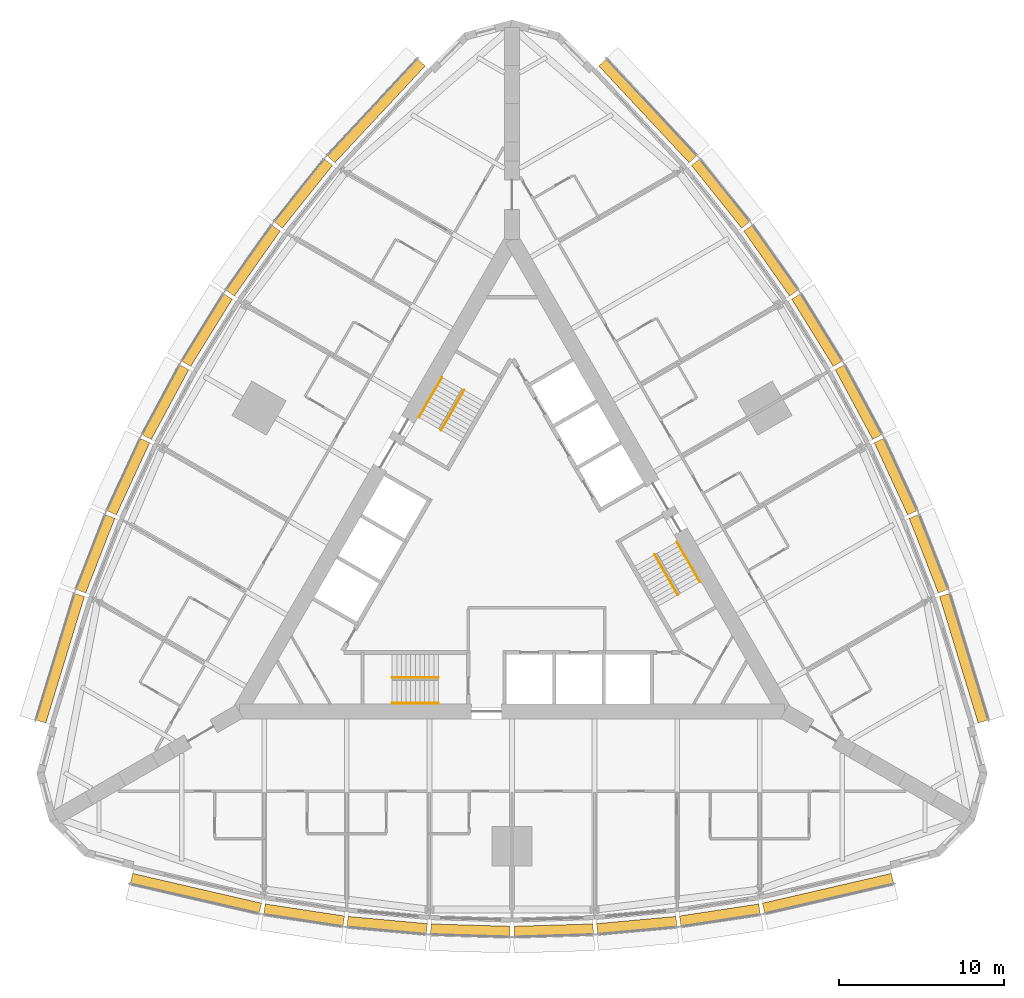
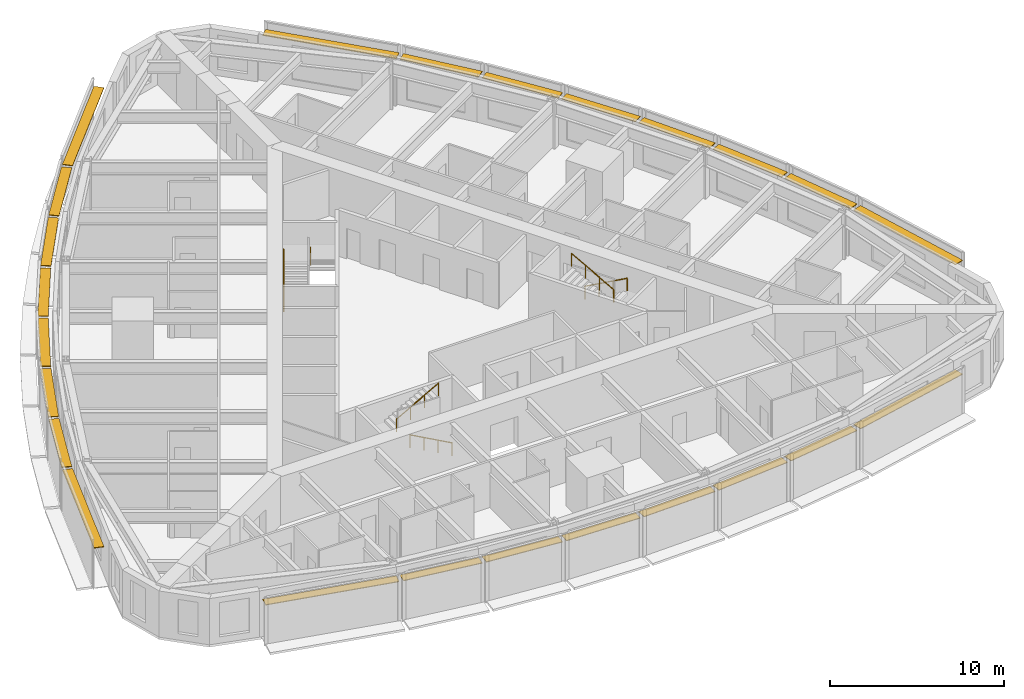
# One storey, part 14 of 14: 24 shading devices, 6 railings.
"""IFC4 building model written with IfcOpenShell, lengths in metres."""

import ifcopenshell
import ifcopenshell.guid

model = None  # the IFC model being written
_history = None  # IfcOwnerHistory: only IFC2X3 demands one
_inside = {}  # id of a spatial element -> (the spatial element, [elements in it])
_under = {}  # id of a project, library or spatial element -> (it, [spatial elements below it])
_declared = {}  # id of a project -> (the project, [libraries it declares])
_typed = {}  # id of a type object -> (the type object, [elements of that type])
_made_of = {}  # id of a material, layer set ... -> (it, [elements and type objects made of it])


def new_model(schema):
    """Start an empty IFC model of exactly this schema.

    Asked for "IFC4X3", IfcOpenShell would pick the latest addendum, in which some entities
    have other attributes; the version numbers below select the first issue.
    IFC2X3 requires an IfcOwnerHistory on every rooted entity: one is made here for all.
    """
    global model, _history
    if schema == "IFC4X3":
        model = ifcopenshell.file(schema_version=(4, 3, 0, 0))
    else:
        model = ifcopenshell.file(schema=schema)
    _inside.clear()
    _under.clear()
    _declared.clear()
    _typed.clear()
    _made_of.clear()
    _history = None
    if model.schema == "IFC2X3":
        org = make("IfcOrganization", Name="unknown")
        user = make(
            "IfcPersonAndOrganization",
            ThePerson=make("IfcPerson", FamilyName="unknown"),
            TheOrganization=org,
        )
        app = make(
            "IfcApplication",
            ApplicationDeveloper=org,
            Version="unknown",
            ApplicationFullName="unknown",
            ApplicationIdentifier="unknown",
        )
        _history = make(
            "IfcOwnerHistory",
            OwningUser=user,
            OwningApplication=app,
            ChangeAction="ADDED",
            CreationDate=0,
        )
    return model


def make(cls, **values):
    """One entity of the class cls with the attributes given. An attribute that is None is left unset."""
    return model.create_entity(
        cls, **{name: value for name, value in values.items() if value is not None}
    )


def rooted(cls, **values):
    """An entity with a GlobalId (a new one), such as an element, a storey or a relation."""
    return make(cls, GlobalId=ifcopenshell.guid.new(), OwnerHistory=_history, **values)


def si_unit(unit_type, name, prefix=None):
    """IfcSIUnit, for example si_unit("LENGTHUNIT", "METRE", prefix="MILLI")."""
    return make("IfcSIUnit", UnitType=unit_type, Prefix=prefix, Name=name)


def assignment(units):
    """IfcUnitAssignment: the units of a project."""
    return None if units is None else make("IfcUnitAssignment", Units=units)


def point(xyz):
    """IfcCartesianPoint."""
    return None if xyz is None else make("IfcCartesianPoint", Coordinates=xyz)


def direction(xyz):
    """IfcDirection."""
    return None if xyz is None else make("IfcDirection", DirectionRatios=xyz)


def frame(location, z_axis=None, x_axis=None):
    """IfcAxis2Placement3D, a coordinate frame: its origin and axes. An axis left out is left unset."""
    return make(
        "IfcAxis2Placement3D",
        Location=point(location),
        Axis=direction(z_axis),
        RefDirection=direction(x_axis),
    )


def frame_2d(location, x_axis=None):
    """IfcAxis2Placement2D, a coordinate frame in the plane: its origin and x axis."""
    return make(
        "IfcAxis2Placement2D", Location=point(location), RefDirection=direction(x_axis)
    )


def origin():
    """The frame at (0, 0, 0) with its axes left unset."""
    return frame((0.0, 0.0, 0.0))


def origin_2d():
    """The frame at (0, 0) in the plane with its x axis left unset."""
    return frame_2d((0.0, 0.0))


def place(relative_to, where):
    """IfcLocalPlacement: puts the frame where relative to a parent placement (None: the world)."""
    return make(
        "IfcLocalPlacement", PlacementRelTo=relative_to, RelativePlacement=where
    )


def context(
    kind, dimensions, precision=None, world=None, true_north=None, identifier=None
):
    """IfcGeometricRepresentationContext, for example the 3D "Model" context."""
    return make(
        "IfcGeometricRepresentationContext",
        ContextIdentifier=identifier,
        ContextType=kind,
        CoordinateSpaceDimension=dimensions,
        Precision=precision,
        WorldCoordinateSystem=world,
        TrueNorth=true_north,
    )


def subcontext(parent, identifier, kind, view, scale=None):
    """IfcGeometricRepresentationSubContext, for example "Body" below "Model"."""
    return make(
        "IfcGeometricRepresentationSubContext",
        ContextIdentifier=identifier,
        ContextType=kind,
        ParentContext=parent,
        TargetScale=scale,
        TargetView=view,
    )


def project(units=None, contexts=None):
    """IfcProject with its units and contexts."""
    return rooted(
        "IfcProject",
        Name="project",
        RepresentationContexts=contexts,
        UnitsInContext=assignment(units),
    )


def spatial(cls, under=None, at=None, **own):
    """A site, building, storey or space (cls), placed at a placement, below another one or the project."""
    s = rooted(cls, ObjectPlacement=at, **own)
    if under is not None:
        _under.setdefault(under.id(), (under, []))[1].append(s)
    return s


def profile(cls, at=None, kind="AREA", **sizes):
    """A parametric profile (cls). Its sizes go by their IFC names, for example OverallWidth=200.0."""
    return make(cls, ProfileType=kind, Position=at, **sizes)


def rectangle(**sizes):
    """IfcRectangleProfileDef."""
    return profile("IfcRectangleProfileDef", **sizes)


def circle(**sizes):
    """IfcCircleProfileDef."""
    return profile("IfcCircleProfileDef", **sizes)


def extrude(swept, where, along, depth):
    """IfcExtrudedAreaSolid: the profile swept, set in the frame where, extruded along a direction by depth."""
    return make(
        "IfcExtrudedAreaSolid",
        SweptArea=swept,
        Position=where,
        ExtrudedDirection=direction(along),
        Depth=depth,
    )


def shape(context_of_items, identifier, shape_type, items):
    """IfcShapeRepresentation: the items that make up one representation, for example the "Body"."""
    return make(
        "IfcShapeRepresentation",
        ContextOfItems=context_of_items,
        RepresentationIdentifier=identifier,
        RepresentationType=shape_type,
        Items=items,
    )


def material(Name=None, Category=None):
    """IfcMaterial."""
    return make("IfcMaterial", Name=Name, Category=Category)


def made_of(thing, what):
    """Note that an element or type object is made of a material, layer set ...; save() writes the relation."""
    if what is not None:
        _made_of.setdefault(what.id(), (what, []))[1].append(thing)
    return thing


def type_object(cls, material=None, **own):
    """A type object (cls), such as IfcWallType, which elements share."""
    return made_of(rooted(cls, **own), material)


def element(
    cls,
    number,
    at=None,
    inside=None,
    cuts=None,
    type_object=None,
    material=None,
    context=None,
    identifier="Body",
    shape_type=None,
    held_by="IfcProductDefinitionShape",
    body=None,
    shapes=None,
    **own,
):
    """One element of the class cls, such as IfcWall. Its Tag is "e" and its number.

    at: its placement. inside: the storey or other place that contains it. cuts: it is an
    opening in that element (IfcRelVoidsElement). A single representation is given by context,
    identifier, shape_type and body (its items); several are given by shapes. held_by: the class
    of the entity that holds the representations. save() writes the other relations.
    """
    e = rooted(cls, Tag="e%d" % number, ObjectPlacement=at, **own)
    if body is not None:
        shapes = [shape(context, identifier, shape_type, body)]
    if shapes is not None:
        e.Representation = make(held_by, Representations=shapes)
    if inside is not None:
        _inside.setdefault(inside.id(), (inside, []))[1].append(e)
    if cuts is not None:
        rooted(
            "IfcRelVoidsElement", RelatingBuildingElement=cuts, RelatedOpeningElement=e
        )
    if type_object is not None:
        _typed.setdefault(type_object.id(), (type_object, []))[1].append(e)
    return made_of(e, material)


def aggregate(whole, parts):
    """IfcRelAggregates: a whole, such as a stair, and the parts it consists of."""
    return rooted("IfcRelAggregates", RelatingObject=whole, RelatedObjects=parts)


def save(model, path):
    """Write the relations noted so far, then the file.

    IfcRelAggregates (storeys below a building ...), IfcRelContainedInSpatialStructure (elements
    in a storey), IfcRelDefinesByType, IfcRelAssociatesMaterial and IfcRelDeclares: one each for
    every whole, place, type object, material and project.
    """
    for whole, parts in _under.values():
        aggregate(whole, parts)
    for where, things in _inside.values():
        rooted(
            "IfcRelContainedInSpatialStructure",
            RelatedElements=things,
            RelatingStructure=where,
        )
    for kind, things in _typed.values():
        rooted("IfcRelDefinesByType", RelatedObjects=things, RelatingType=kind)
    for what, things in _made_of.values():
        rooted("IfcRelAssociatesMaterial", RelatedObjects=things, RelatingMaterial=what)
    for by, libraries in _declared.values():
        rooted("IfcRelDeclares", RelatingContext=by, RelatedDefinitions=libraries)
    model.write(path)


model = new_model("IFC4")

# Units and contexts
model_context = context("Model", 3, precision=1e-05, world=origin(), true_north=direction((0.0, 1.0)))
body_context = subcontext(model_context, "Body", "Model", "MODEL_VIEW")
ifc_project = project(units=[si_unit("LENGTHUNIT", "METRE"), si_unit("AREAUNIT", "SQUARE_METRE"), si_unit("VOLUMEUNIT", "CUBIC_METRE"), si_unit("PLANEANGLEUNIT", "RADIAN"), si_unit("MASSUNIT", "GRAM", prefix="KILO")], contexts=[model_context])

# Site, building, storey
site_placement = place(None, origin())
site = spatial("IfcSite", under=ifc_project, at=site_placement, CompositionType="ELEMENT")
building_placement = place(site_placement, origin())
building = spatial("IfcBuilding", under=site, at=building_placement, Name="Trikona Tower", CompositionType="ELEMENT")
storey_placement = place(building_placement, frame((0.0, 0.0, 62.5)))
storey = spatial("IfcBuildingStorey", under=building, at=storey_placement, Name="L15", CompositionType="ELEMENT", Elevation=62.5)

# Shading devices
ifc_material_1 = material(Name="Aluminium louvre blade, pale anodised", Category="aluminium")
shading_device_type = type_object("IfcShadingDeviceType", Name="Cavity louvre 600", PredefinedType="USERDEFINED", material=ifc_material_1)
shading_device_1_placement = place(storey_placement, frame((-19.126220703125, -20.5234375, 2.77490234375), z_axis=(0.0, 0.0, 1.0), x_axis=(0.974277718622, -0.225350675607, 0.0)))
element("IfcShadingDevice", 1, at=shading_device_1_placement, inside=storey, type_object=shading_device_type, Name="Cavity louvre L15-00", ObjectType="LOUVRE", PredefinedType="USERDEFINED", context=body_context, shape_type="SweptSolid", body=[
    extrude(rectangle(XDim=8.01123046875, YDim=0.60009765625, at=origin_2d()), origin(), (0.0, 0.0, 1.0), 0.050048828125),
])
shading_device_2_placement = place(storey_placement, frame((-12.584228515625, -21.837158203125, 2.77490234375), z_axis=(0.0, 0.0, 1.0), x_axis=(0.988617896768, -0.150448177754, 0.0)))
element("IfcShadingDevice", 2, at=shading_device_2_placement, inside=storey, type_object=shading_device_type, Name="Cavity louvre L15-01", ObjectType="LOUVRE", PredefinedType="USERDEFINED", context=body_context, shape_type="SweptSolid", body=[
    extrude(rectangle(XDim=4.857666015625, YDim=0.60009765625, at=origin_2d()), origin(), (0.0, 0.0, 1.0), 0.050048828125),
])
shading_device_3_placement = place(storey_placement, frame((-7.55078125, -22.44970703125, 2.77490234375), z_axis=(0.0, 0.0, 1.0), x_axis=(0.995858098326, -0.090921108655, 0.0)))
element("IfcShadingDevice", 3, at=shading_device_3_placement, inside=storey, type_object=shading_device_type, Name="Cavity louvre L15-02", ObjectType="LOUVRE", PredefinedType="USERDEFINED", context=body_context, shape_type="SweptSolid", body=[
    extrude(rectangle(XDim=4.82080078125, YDim=0.60009765625, at=origin_2d()), origin(), (0.0, 0.0, 1.0), 0.050048828125),
])
for number, where, z_axis, x_axis, name in (
    (4, (-2.51708984375, -22.756103515625, 2.77490234375), (0.0, 0.0, 1.0), (0.999537048889, -0.030425119525, 0.0), "Cavity louvre L15-03"),
    (5, (2.51708984375, -22.756103515625, 2.77490234375), (0.0, 0.0, 1.0), (0.999537048889, 0.030425119525, 0.0), "Cavity louvre L15-04"),
):
    element("IfcShadingDevice", number, at=place(storey_placement, frame(where, z_axis=z_axis, x_axis=x_axis)), inside=storey, type_object=shading_device_type, Name=name, ObjectType="LOUVRE", PredefinedType="USERDEFINED", context=body_context, shape_type="SweptSolid", body=[
        extrude(rectangle(XDim=4.80224609375, YDim=0.60009765625, at=origin_2d()), origin(), (0.0, 0.0, 1.0), 0.050048828125),
    ])
shading_device_4_placement = place(storey_placement, frame((7.55078125, -22.44970703125, 2.77490234375), z_axis=(0.0, 0.0, 1.0), x_axis=(0.995858098326, 0.090921108655, 0.0)))
element("IfcShadingDevice", 6, at=shading_device_4_placement, inside=storey, type_object=shading_device_type, Name="Cavity louvre L15-05", ObjectType="LOUVRE", PredefinedType="USERDEFINED", context=body_context, shape_type="SweptSolid", body=[
    extrude(rectangle(XDim=4.82080078125, YDim=0.60009765625, at=origin_2d()), origin(), (0.0, 0.0, 1.0), 0.050048828125),
])
shading_device_5_placement = place(storey_placement, frame((12.584228515625, -21.837158203125, 2.77490234375), z_axis=(0.0, 0.0, 1.0), x_axis=(0.988617896768, 0.150448177754, 0.0)))
element("IfcShadingDevice", 7, at=shading_device_5_placement, inside=storey, type_object=shading_device_type, Name="Cavity louvre L15-06", ObjectType="LOUVRE", PredefinedType="USERDEFINED", context=body_context, shape_type="SweptSolid", body=[
    extrude(rectangle(XDim=4.857666015625, YDim=0.60009765625, at=origin_2d()), origin(), (0.0, 0.0, 1.0), 0.050048828125),
])
for number, where, z_axis, x_axis, name in (
    (8, (19.126220703125, -20.5234375, 2.77490234375), (0.0, 0.0, 1.0), (0.974277718622, 0.225350675607, 0.0), "Cavity louvre L15-07"),
    (9, (27.3369140625, -6.302001953125, 2.77490234375), (0.0, 0.0, 1.0), (-0.291979449475, 0.956424592471, 0.0), "Cavity louvre L15-12"),
):
    element("IfcShadingDevice", number, at=place(storey_placement, frame(where, z_axis=z_axis, x_axis=x_axis)), inside=storey, type_object=shading_device_type, Name=name, ObjectType="LOUVRE", PredefinedType="USERDEFINED", context=body_context, shape_type="SweptSolid", body=[
        extrude(rectangle(XDim=8.01123046875, YDim=0.60009765625, at=origin_2d()), origin(), (0.0, 0.0, 1.0), 0.050048828125),
    ])
shading_device_6_placement = place(storey_placement, frame((25.20361328125, 0.020263671875, 2.77490234375), z_axis=(0.0, 0.0, 1.0), x_axis=(-0.364008876551, 0.931395478726, 0.0)))
element("IfcShadingDevice", 10, at=shading_device_6_placement, inside=storey, type_object=shading_device_type, Name="Cavity louvre L15-13", ObjectType="LOUVRE", PredefinedType="USERDEFINED", context=body_context, shape_type="SweptSolid", body=[
    extrude(rectangle(XDim=4.857666015625, YDim=0.60009765625, at=origin_2d()), origin(), (0.0, 0.0, 1.0), 0.050048828125),
])
shading_device_7_placement = place(storey_placement, frame((23.217529296875, 4.685546875, 2.77490234375), z_axis=(0.0, 0.0, 1.0), x_axis=(-0.41919381307, 0.907896771161, 0.0)))
element("IfcShadingDevice", 11, at=shading_device_7_placement, inside=storey, type_object=shading_device_type, Name="Cavity louvre L15-14", ObjectType="LOUVRE", PredefinedType="USERDEFINED", context=body_context, shape_type="SweptSolid", body=[
    extrude(rectangle(XDim=4.82080078125, YDim=0.60009765625, at=origin_2d()), origin(), (0.0, 0.0, 1.0), 0.050048828125),
])
for number, where, z_axis, x_axis, name in (
    (12, (20.966064453125, 9.1982421875, 2.77490234375), (0.0, 0.0, 1.0), (-0.473422672721, 0.880835383572, 0.0), "Cavity louvre L15-15"),
    (13, (18.448974609375, 13.557861328125, 2.77490234375), (0.0, 0.0, 1.0), (-0.526118935114, 0.85041099835, 0.0), "Cavity louvre L15-16"),
):
    element("IfcShadingDevice", number, at=place(storey_placement, frame(where, z_axis=z_axis, x_axis=x_axis)), inside=storey, type_object=shading_device_type, Name=name, ObjectType="LOUVRE", PredefinedType="USERDEFINED", context=body_context, shape_type="SweptSolid", body=[
        extrude(rectangle(XDim=4.80224609375, YDim=0.60009765625, at=origin_2d()), origin(), (0.0, 0.0, 1.0), 0.050048828125),
    ])
shading_device_8_placement = place(storey_placement, frame((15.666748046875, 17.76416015625, 2.77490234375), z_axis=(0.0, 0.0, 1.0), x_axis=(-0.576661909499, 0.816982889743, 0.0)))
element("IfcShadingDevice", 14, at=shading_device_8_placement, inside=storey, type_object=shading_device_type, Name="Cavity louvre L15-17", ObjectType="LOUVRE", PredefinedType="USERDEFINED", context=body_context, shape_type="SweptSolid", body=[
    extrude(rectangle(XDim=4.82080078125, YDim=0.60009765625, at=origin_2d()), origin(), (0.0, 0.0, 1.0), 0.050048828125),
])
shading_device_9_placement = place(storey_placement, frame((12.619384765625, 21.81689453125, 2.77490234375), z_axis=(0.0, 0.0, 1.0), x_axis=(-0.624603618277, 0.780941944087, 0.0)))
element("IfcShadingDevice", 15, at=shading_device_9_placement, inside=storey, type_object=shading_device_type, Name="Cavity louvre L15-18", ObjectType="LOUVRE", PredefinedType="USERDEFINED", context=body_context, shape_type="SweptSolid", body=[
    extrude(rectangle(XDim=4.857666015625, YDim=0.60009765625, at=origin_2d()), origin(), (0.0, 0.0, 1.0), 0.050048828125),
])
for number, where, z_axis, x_axis, name in (
    (16, (8.210693359375, 26.825439453125, 2.77490234375), (0.0, 0.0, 1.0), (-0.682298269147, 0.731073916864, 0.0), "Cavity louvre L15-19"),
    (17, (-8.210693359375, 26.825439453125, 2.77490234375), (0.0, 0.0, 1.0), (-0.682298269147, -0.731073916864, 0.0), "Cavity louvre L15-24"),
):
    element("IfcShadingDevice", number, at=place(storey_placement, frame(where, z_axis=z_axis, x_axis=x_axis)), inside=storey, type_object=shading_device_type, Name=name, ObjectType="LOUVRE", PredefinedType="USERDEFINED", context=body_context, shape_type="SweptSolid", body=[
        extrude(rectangle(XDim=8.01123046875, YDim=0.60009765625, at=origin_2d()), origin(), (0.0, 0.0, 1.0), 0.050048828125),
    ])
shading_device_10_placement = place(storey_placement, frame((-12.619384765625, 21.81689453125, 2.77490234375), z_axis=(0.0, 0.0, 1.0), x_axis=(-0.624603618277, -0.780941944087, 0.0)))
element("IfcShadingDevice", 18, at=shading_device_10_placement, inside=storey, type_object=shading_device_type, Name="Cavity louvre L15-25", ObjectType="LOUVRE", PredefinedType="USERDEFINED", context=body_context, shape_type="SweptSolid", body=[
    extrude(rectangle(XDim=4.857666015625, YDim=0.60009765625, at=origin_2d()), origin(), (0.0, 0.0, 1.0), 0.050048828125),
])
shading_device_11_placement = place(storey_placement, frame((-15.666748046875, 17.76416015625, 2.77490234375), z_axis=(0.0, 0.0, 1.0), x_axis=(-0.576661909499, -0.816982889743, 0.0)))
element("IfcShadingDevice", 19, at=shading_device_11_placement, inside=storey, type_object=shading_device_type, Name="Cavity louvre L15-26", ObjectType="LOUVRE", PredefinedType="USERDEFINED", context=body_context, shape_type="SweptSolid", body=[
    extrude(rectangle(XDim=4.82080078125, YDim=0.60009765625, at=origin_2d()), origin(), (0.0, 0.0, 1.0), 0.050048828125),
])
for number, where, z_axis, x_axis, name in (
    (20, (-18.448974609375, 13.557861328125, 2.77490234375), (0.0, 0.0, 1.0), (-0.526118935114, -0.85041099835, 0.0), "Cavity louvre L15-27"),
    (21, (-20.966064453125, 9.1982421875, 2.77490234375), (0.0, 0.0, 1.0), (-0.473422672721, -0.880835383572, 0.0), "Cavity louvre L15-28"),
):
    element("IfcShadingDevice", number, at=place(storey_placement, frame(where, z_axis=z_axis, x_axis=x_axis)), inside=storey, type_object=shading_device_type, Name=name, ObjectType="LOUVRE", PredefinedType="USERDEFINED", context=body_context, shape_type="SweptSolid", body=[
        extrude(rectangle(XDim=4.80224609375, YDim=0.60009765625, at=origin_2d()), origin(), (0.0, 0.0, 1.0), 0.050048828125),
    ])
shading_device_12_placement = place(storey_placement, frame((-23.217529296875, 4.685546875, 2.77490234375), z_axis=(0.0, 0.0, 1.0), x_axis=(-0.41919381307, -0.907896771161, 0.0)))
element("IfcShadingDevice", 22, at=shading_device_12_placement, inside=storey, type_object=shading_device_type, Name="Cavity louvre L15-29", ObjectType="LOUVRE", PredefinedType="USERDEFINED", context=body_context, shape_type="SweptSolid", body=[
    extrude(rectangle(XDim=4.82080078125, YDim=0.60009765625, at=origin_2d()), origin(), (0.0, 0.0, 1.0), 0.050048828125),
])
shading_device_13_placement = place(storey_placement, frame((-25.20361328125, 0.020263671875, 2.77490234375), z_axis=(0.0, 0.0, 1.0), x_axis=(-0.364008876551, -0.931395478726, 0.0)))
element("IfcShadingDevice", 23, at=shading_device_13_placement, inside=storey, type_object=shading_device_type, Name="Cavity louvre L15-30", ObjectType="LOUVRE", PredefinedType="USERDEFINED", context=body_context, shape_type="SweptSolid", body=[
    extrude(rectangle(XDim=4.857666015625, YDim=0.60009765625, at=origin_2d()), origin(), (0.0, 0.0, 1.0), 0.050048828125),
])
shading_device_14_placement = place(storey_placement, frame((-27.3369140625, -6.302001953125, 2.77490234375), z_axis=(0.0, 0.0, 1.0), x_axis=(-0.291979449475, -0.956424592471, 0.0)))
element("IfcShadingDevice", 24, at=shading_device_14_placement, inside=storey, type_object=shading_device_type, Name="Cavity louvre L15-31", ObjectType="LOUVRE", PredefinedType="USERDEFINED", context=body_context, shape_type="SweptSolid", body=[
    extrude(rectangle(XDim=8.01123046875, YDim=0.60009765625, at=origin_2d()), origin(), (0.0, 0.0, 1.0), 0.050048828125),
])

# Railings
ifc_material_2 = material(Name="Stainless steel handrail", Category="steel")
railing_type = type_object("IfcRailingType", Name="Stair handrail", PredefinedType="HANDRAIL", material=ifc_material_2)
railing_1_placement = place(storey_placement, frame((-4.449951171875, -9.016357421875, 0.154541015625)))
element("IfcRailing", 25, at=railing_1_placement, inside=storey, type_object=railing_type, Name="Stair handrail A L15 1", PredefinedType="HANDRAIL", context=body_context, shape_type="SweptSolid", body=[
    extrude(circle(Radius=0.02392578125, at=origin_2d()), frame((0.0, 0.0, 0.8759765625), z_axis=(-0.875504190374, 0.0, 0.483210526207), x_axis=(0.0, -1.0, 0.0)), (0.0, 0.0, 1.0), 3.1982421875),
    extrude(circle(Radius=0.02099609375, at=origin_2d()), origin(), (0.0, 0.0, 1.0), 0.851806640625),
    extrude(circle(Radius=0.02099609375, at=origin_2d()), frame((-0.933349609375, 0.0, 0.51513671875)), (0.0, 0.0, 1.0), 0.851806640625),
    extrude(circle(Radius=0.02099609375, at=origin_2d()), frame((-1.86669921875, 0.0, 1.0302734375)), (0.0, 0.0, 1.0), 0.851806640625),
    extrude(circle(Radius=0.02099609375, at=origin_2d()), frame((-2.800048828125, 0.0, 1.54541015625)), (0.0, 0.0, 1.0), 0.851806640625),
])
railing_2_placement = place(storey_placement, frame((-7.25, -7.46630859375, 1.8544921875)))
element("IfcRailing", 26, at=railing_2_placement, inside=storey, type_object=railing_type, Name="Stair handrail A L15 2", PredefinedType="HANDRAIL", context=body_context, shape_type="SweptSolid", body=[
    extrude(circle(Radius=0.02392578125, at=origin_2d()), frame((0.0, 0.0, 0.8759765625), z_axis=(0.875504190374, 0.0, 0.483210526207), x_axis=(0.0, 1.0, 0.0)), (0.0, 0.0, 1.0), 3.1982421875),
    extrude(circle(Radius=0.02099609375, at=origin_2d()), origin(), (0.0, 0.0, 1.0), 0.851806640625),
    extrude(circle(Radius=0.02099609375, at=origin_2d()), frame((0.933349609375, 0.0, 0.51513671875)), (0.0, 0.0, 1.0), 0.851806640625),
    extrude(circle(Radius=0.02099609375, at=origin_2d()), frame((1.86669921875, 0.0, 1.0302734375)), (0.0, 0.0, 1.0), 0.851806640625),
    extrude(circle(Radius=0.02099609375, at=origin_2d()), frame((2.800048828125, 0.0, 1.54541015625)), (0.0, 0.0, 1.0), 0.851806640625),
])
railing_3_placement = place(storey_placement, frame((9.9833984375, 0.740966796875, 0.154541015625)))
element("IfcRailing", 27, at=railing_3_placement, inside=storey, type_object=railing_type, Name="Stair handrail B L15 1", PredefinedType="HANDRAIL", context=body_context, shape_type="SweptSolid", body=[
    extrude(circle(Radius=0.02392578125, at=origin_2d()), frame((0.0, 0.0, 0.8759765625), z_axis=(0.437707188162, -0.758239536103, 0.483203087036), x_axis=(0.866056369097, 0.49994636267, 0.0)), (0.0, 0.0, 1.0), 3.1982421875),
    extrude(circle(Radius=0.02099609375, at=origin_2d()), origin(), (0.0, 0.0, 1.0), 0.851806640625),
    extrude(circle(Radius=0.02099609375, at=origin_2d()), frame((0.466552734375, -0.808349609375, 0.51513671875)), (0.0, 0.0, 1.0), 0.851806640625),
    extrude(circle(Radius=0.02099609375, at=origin_2d()), frame((0.933349609375, -1.61669921875, 1.0302734375)), (0.0, 0.0, 1.0), 0.851806640625),
    extrude(circle(Radius=0.02099609375, at=origin_2d()), frame((1.39990234375, -2.425048828125, 1.54541015625)), (0.0, 0.0, 1.0), 0.851806640625),
])
railing_4_placement = place(storey_placement, frame((10.041015625, -2.458984375, 1.8544921875)))
element("IfcRailing", 28, at=railing_4_placement, inside=storey, type_object=railing_type, Name="Stair handrail B L15 2", PredefinedType="HANDRAIL", context=body_context, shape_type="SweptSolid", body=[
    extrude(circle(Radius=0.02392578125, at=origin_2d()), frame((0.0, 0.0, 0.8759765625), z_axis=(-0.437707188162, 0.758239536103, 0.483203087036), x_axis=(-0.866056369097, -0.49994636267, 0.0)), (0.0, 0.0, 1.0), 3.1982421875),
    extrude(circle(Radius=0.02099609375, at=origin_2d()), origin(), (0.0, 0.0, 1.0), 0.851806640625),
    extrude(circle(Radius=0.02099609375, at=origin_2d()), frame((-0.466552734375, 0.808349609375, 0.51513671875)), (0.0, 0.0, 1.0), 0.851806640625),
    extrude(circle(Radius=0.02099609375, at=origin_2d()), frame((-0.933349609375, 1.61669921875, 1.0302734375)), (0.0, 0.0, 1.0), 0.851806640625),
    extrude(circle(Radius=0.02099609375, at=origin_2d()), frame((-1.39990234375, 2.425048828125, 1.54541015625)), (0.0, 0.0, 1.0), 0.851806640625),
])
railing_5_placement = place(storey_placement, frame((-5.63330078125, 8.275390625, 0.154541015625)))
element("IfcRailing", 29, at=railing_5_placement, inside=storey, type_object=railing_type, Name="Stair handrail C L15 1", PredefinedType="HANDRAIL", context=body_context, shape_type="SweptSolid", body=[
    extrude(circle(Radius=0.02392578125, at=origin_2d()), frame((0.0, 0.0, 0.8759765625), z_axis=(0.437732523806, 0.758207085183, 0.483231056102), x_axis=(-0.866034573852, 0.49998411664, 0.0)), (0.0, 0.0, 1.0), 3.197998046875),
    extrude(circle(Radius=0.02099609375, at=origin_2d()), origin(), (0.0, 0.0, 1.0), 0.851806640625),
    extrude(circle(Radius=0.02099609375, at=origin_2d()), frame((0.466552734375, 0.808349609375, 0.51513671875)), (0.0, 0.0, 1.0), 0.851806640625),
    extrude(circle(Radius=0.02099609375, at=origin_2d()), frame((0.933349609375, 1.616455078125, 1.0302734375)), (0.0, 0.0, 1.0), 0.851806640625),
    extrude(circle(Radius=0.02099609375, at=origin_2d()), frame((1.39990234375, 2.4248046875, 1.54541015625)), (0.0, 0.0, 1.0), 0.851806640625),
])
railing_6_placement = place(storey_placement, frame((-2.89111328125, 9.92529296875, 1.8544921875)))
element("IfcRailing", 30, at=railing_6_placement, inside=storey, type_object=railing_type, Name="Stair handrail C L15 2", PredefinedType="HANDRAIL", context=body_context, shape_type="SweptSolid", body=[
    extrude(circle(Radius=0.02392578125, at=origin_2d()), frame((0.0, 0.0, 0.8759765625), z_axis=(-0.437707188162, -0.758239536103, 0.483203087036), x_axis=(0.866056369097, -0.49994636267, 0.0)), (0.0, 0.0, 1.0), 3.1982421875),
    extrude(circle(Radius=0.02099609375, at=origin_2d()), origin(), (0.0, 0.0, 1.0), 0.851806640625),
    extrude(circle(Radius=0.02099609375, at=origin_2d()), frame((-0.466552734375, -0.808349609375, 0.51513671875)), (0.0, 0.0, 1.0), 0.851806640625),
    extrude(circle(Radius=0.02099609375, at=origin_2d()), frame((-0.933349609375, -1.61669921875, 1.0302734375)), (0.0, 0.0, 1.0), 0.851806640625),
    extrude(circle(Radius=0.02099609375, at=origin_2d()), frame((-1.39990234375, -2.425048828125, 1.54541015625)), (0.0, 0.0, 1.0), 0.851806640625),
])

save(model, "model.ifc")
